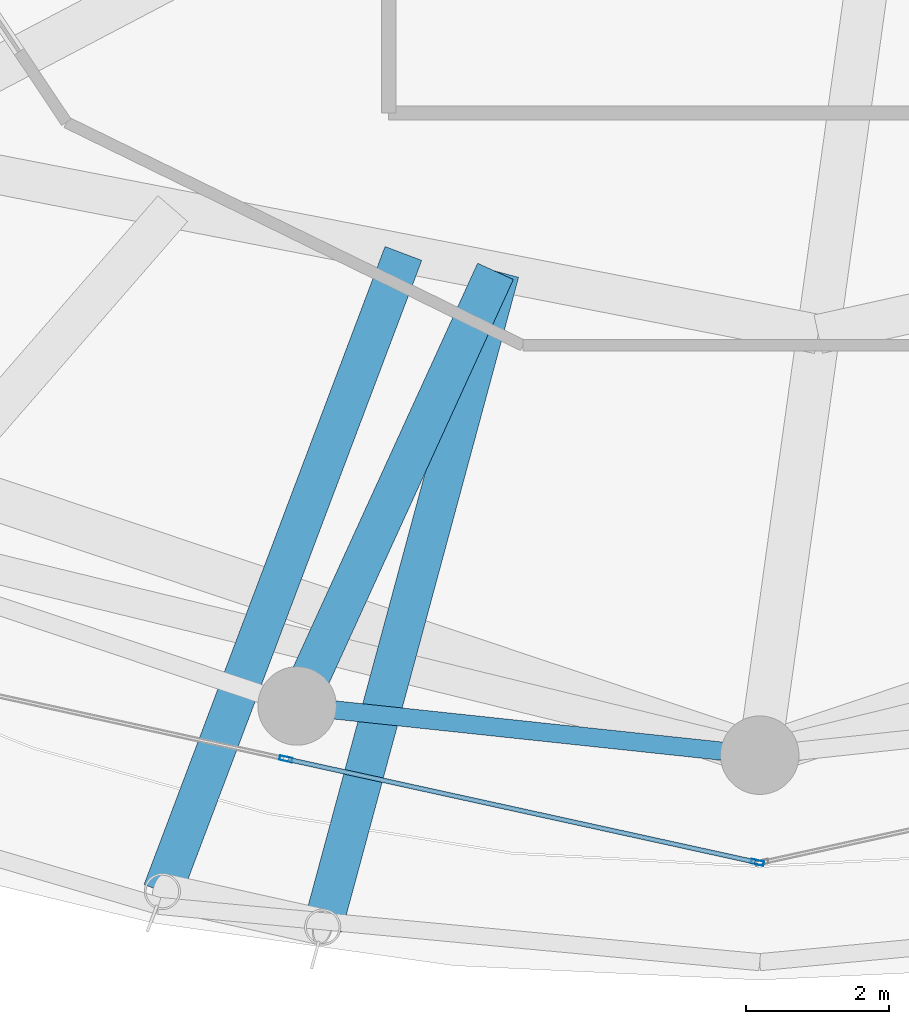
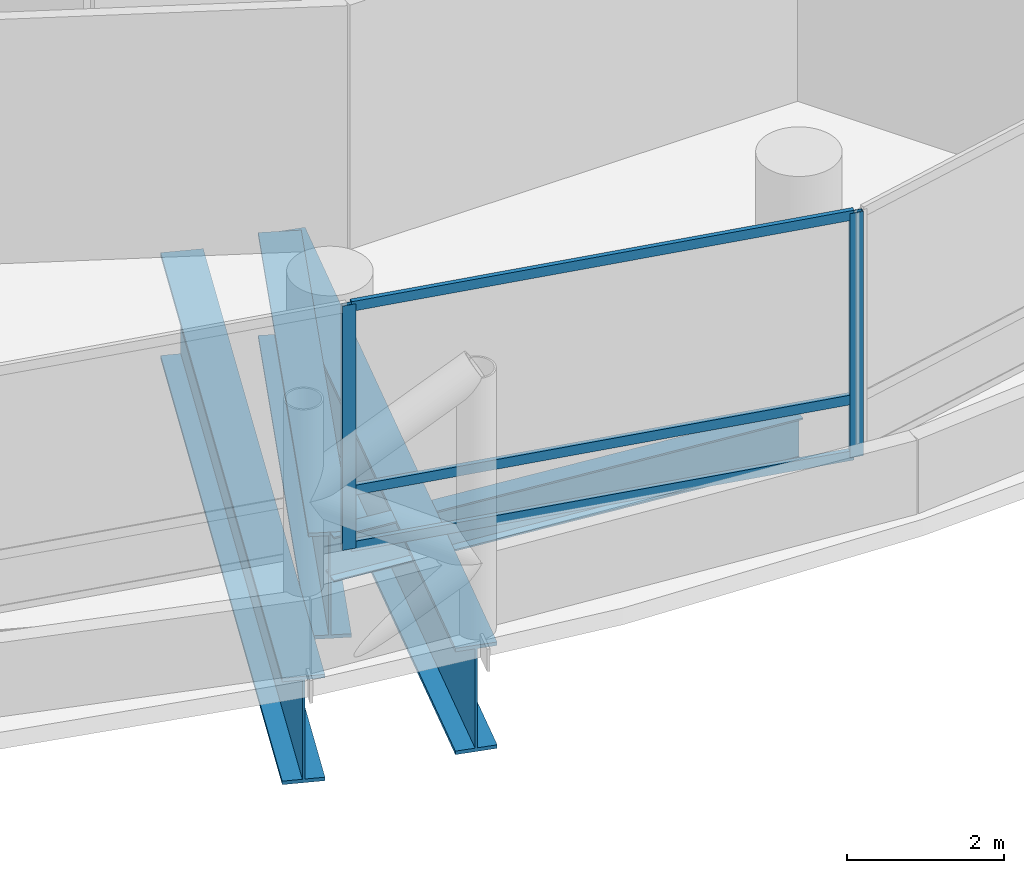
# One storey, part 6 of 37: 5 members, 4 beams, 1 element without a shape of its own.
"""IFC4 building model written with IfcOpenShell, lengths in metres."""

from ifc_helpers import new_model, si_unit, direction, frame, origin, origin_2d, place, context, subcontext, project, spatial, hollow_rectangle, i_section, extrude, material, layer, layer_set, material_profile, profile_set, type_object, element, aggregate, save


model = new_model("IFC4")

# Units and contexts
model_context = context("Model", 3, precision=1e-05, world=origin(), true_north=direction((0.0, 1.0)))
body_context = subcontext(model_context, "Body", "Model", "MODEL_VIEW")
ifc_project = project(units=[si_unit("LENGTHUNIT", "METRE"), si_unit("AREAUNIT", "SQUARE_METRE"), si_unit("VOLUMEUNIT", "CUBIC_METRE"), si_unit("PLANEANGLEUNIT", "RADIAN"), si_unit("MASSUNIT", "GRAM", prefix="KILO")], contexts=[model_context])

# Site, building, storey
site_placement = place(None, origin())
site = spatial("IfcSite", under=ifc_project, at=site_placement, CompositionType="ELEMENT")
building_placement = place(site_placement, origin())
building = spatial("IfcBuilding", under=site, at=building_placement, Name="Nuhasar Tower", CompositionType="ELEMENT")
storey_placement = place(building_placement, frame((0.0, 0.0, 21.0)))
storey = spatial("IfcBuildingStorey", under=building, at=storey_placement, Name="L04", CompositionType="ELEMENT", Elevation=21.0)

# Beams
ifc_material_1 = material(Name="Steel S355", Category="steel")
ifc_material_profile_1 = material_profile(ifc_material_1, i_section(OverallWidth=0.256103515625, OverallDepth=0.693115234375, WebThickness=0.014404296875, FlangeThickness=0.023681640625, at=origin_2d()), Name="W27X114")
ifc_profile_set_1 = profile_set([ifc_material_profile_1], Name="Steel S355")
beam_type_1 = type_object("IfcBeamType", Name="BM-RING-W27X114", PredefinedType="SPANDREL", material=ifc_profile_set_1)
beam_1_placement = place(storey_placement, frame((32.51708984375, 7.239990234375, -0.60693359375), z_axis=(0.994384554061, -0.105827022286, 0.0), x_axis=(0.105827022286, 0.994384554061, 0.0)))
element("IfcBeam", 1, at=beam_1_placement, inside=storey, type_object=beam_type_1, Name="L04 Perimeter Ring Spandrel 18", PredefinedType="SPANDREL", context=body_context, shape_type="SweptSolid", body=[
    extrude(i_section(OverallWidth=0.256103515625, OverallDepth=0.693115234375, WebThickness=0.014404296875, FlangeThickness=0.023681640625, at=origin_2d()), origin(), (0.0, 0.0, 1.0), 6.51953125),
])
ifc_material_2 = material(Name="Steel S460", Category="steel")
ifc_material_profile_2 = material_profile(ifc_material_2, i_section(OverallWidth=0.550048828125, OverallDepth=1.64990234375, WebThickness=0.031982421875, FlangeThickness=0.054931640625, at=origin_2d()), Name="PG1650X550")
ifc_profile_set_2 = profile_set([ifc_material_profile_2], Name="Steel S460")
beam_type_2 = type_object("IfcBeamType", Name="BM-XFER-PG1650", PredefinedType="USERDEFINED", material=ifc_profile_set_2)
beam_2_placement = place(storey_placement, frame((35.297119140625, 13.330078125, -1.0849609375), z_axis=(-0.415264138898, -0.909700882129, 0.0), x_axis=(0.909700882129, -0.415264138898, 0.0)))
element("IfcBeam", 2, at=beam_2_placement, inside=storey, type_object=beam_type_2, Name="L04 Inner Column Transfer Girder 18", ObjectType="GIRDER", PredefinedType="USERDEFINED", context=body_context, shape_type="SweptSolid", body=[
    extrude(i_section(OverallWidth=0.550048828125, OverallDepth=1.64990234375, WebThickness=0.031982421875, FlangeThickness=0.054931640625, at=origin_2d()), origin(), (0.0, 0.0, 1.0), 6.694580078125),
])
beam_3_placement = place(storey_placement, frame((34.007080078125, 13.5810546875, -1.0849609375), z_axis=(-0.353347912969, -0.935491984145, 0.0), x_axis=(0.935491984145, -0.353347912969, 0.0)))
element("IfcBeam", 3, at=beam_3_placement, inside=storey, type_object=beam_type_2, Name="L04 Exoskeleton Base Transfer Girder 17", ObjectType="GIRDER", PredefinedType="USERDEFINED", context=body_context, shape_type="SweptSolid", body=[
    extrude(i_section(OverallWidth=0.550048828125, OverallDepth=1.64990234375, WebThickness=0.031982421875, FlangeThickness=0.054931640625, at=origin_2d()), origin(), (0.0, 0.0, 1.0), 9.5576171875),
])
beam_4_placement = place(storey_placement, frame((35.35595703125, 13.318115234375, -1.0849609375), z_axis=(-0.260880562983, -0.965371085054, 0.0), x_axis=(0.965371085054, -0.260880562983, 0.0)))
element("IfcBeam", 4, at=beam_4_placement, inside=storey, type_object=beam_type_2, Name="L04 Exoskeleton Base Transfer Girder 18", ObjectType="GIRDER", PredefinedType="USERDEFINED", context=body_context, shape_type="SweptSolid", body=[
    extrude(i_section(OverallWidth=0.550048828125, OverallDepth=1.64990234375, WebThickness=0.031982421875, FlangeThickness=0.054931640625, at=origin_2d()), origin(), (0.0, 0.0, 1.0), 9.506103515625),
])

# Curtain wall, members
ifc_material_3 = material(Name="Aluminium 6063-T6", Category="aluminium")
ifc_layer = layer(ifc_material_3, 0.199951171875)
ifc_layer_set = layer_set([ifc_layer], Name="Aluminium 6063-T6")
curtain_wall_type = type_object("IfcCurtainWallType", Name="CW-Z1-OFF", PredefinedType="NOTDEFINED", material=ifc_layer_set)
curtain_wall_placement = place(storey_placement, origin())
curtain_wall = element("IfcCurtainWall", 5, at=curtain_wall_placement, inside=storey, type_object=curtain_wall_type, Name="L04 Unitised Curtain Wall 09", PredefinedType="NOTDEFINED")
ifc_material_profile_3 = material_profile(ifc_material_3, hollow_rectangle(XDim=0.06494140625, YDim=0.179931640625, WallThickness=0.0048828125, at=origin_2d()), Name="CWM-2")
ifc_profile_set_3 = profile_set([ifc_material_profile_3], Name="Aluminium 6063-T6")
member_type_1 = type_object("IfcMemberType", Name="CW-MUL-S2", PredefinedType="MULLION", material=ifc_profile_set_3)
member_1_placement = place(storey_placement, frame((32.360107421875, 6.49755859375, 0.0), z_axis=(0.0, 0.0, 1.0), x_axis=(0.214398737637, 0.976746221544, 0.0)))
member_1 = element("IfcMember", 6, at=member_1_placement, type_object=member_type_1, Name="CW-Z1 mullion 2", PredefinedType="MULLION", context=body_context, shape_type="SweptSolid", body=[
    extrude(hollow_rectangle(XDim=0.06494140625, YDim=0.179931640625, WallThickness=0.0048828125, at=origin_2d()), origin(), (0.0, 0.0, 1.0), 3.7900390625),
])
member_2_placement = place(storey_placement, frame((38.96826171875, 5.046875, 0.0), z_axis=(0.0, 0.0, 1.0), x_axis=(0.214398737637, 0.976746221544, 0.0)))
member_2 = element("IfcMember", 7, at=member_2_placement, type_object=member_type_1, Name="CW-Z1 mullion 3", PredefinedType="MULLION", context=body_context, shape_type="SweptSolid", body=[
    extrude(hollow_rectangle(XDim=0.06494140625, YDim=0.179931640625, WallThickness=0.0048828125, at=origin_2d()), origin(), (0.0, 0.0, 1.0), 3.7900390625),
])
ifc_material_profile_4 = material_profile(ifc_material_3, hollow_rectangle(XDim=0.06494140625, YDim=0.14990234375, WallThickness=0.00439453125, at=origin_2d()), Name="CWT-2")
ifc_profile_set_4 = profile_set([ifc_material_profile_4], Name="Aluminium 6063-T6")
member_type_2 = type_object("IfcMemberType", Name="CW-TRN-S2", PredefinedType="USERDEFINED", material=ifc_profile_set_4)
member_3_placement = place(storey_placement, frame((32.391845703125, 6.490478515625, 0.032470703125), z_axis=(0.976747879138, -0.214391185916, 0.0), x_axis=(0.214391185916, 0.976747879138, 0.0)))
member_3 = element("IfcMember", 8, at=member_3_placement, type_object=member_type_2, Name="CW-Z1 transom 2.1", ObjectType="TRANSOM", PredefinedType="USERDEFINED", context=body_context, shape_type="SweptSolid", body=[
    extrude(hollow_rectangle(XDim=0.06494140625, YDim=0.14990234375, WallThickness=0.00439453125, at=origin_2d()), origin(), (0.0, 0.0, 1.0), 6.700439453125),
])
member_4_placement = place(storey_placement, frame((32.391845703125, 6.490478515625, 0.89990234375), z_axis=(0.976747879138, -0.214391185916, 0.0), x_axis=(0.214391185916, 0.976747879138, 0.0)))
member_4 = element("IfcMember", 9, at=member_4_placement, type_object=member_type_2, Name="CW-Z1 transom 2.2", ObjectType="TRANSOM", PredefinedType="USERDEFINED", context=body_context, shape_type="SweptSolid", body=[
    extrude(hollow_rectangle(XDim=0.06494140625, YDim=0.14990234375, WallThickness=0.00439453125, at=origin_2d()), origin(), (0.0, 0.0, 1.0), 6.700439453125),
])
member_5_placement = place(storey_placement, frame((32.391845703125, 6.490478515625, 3.757568359375), z_axis=(0.976747879138, -0.214391185916, 0.0), x_axis=(0.214391185916, 0.976747879138, 0.0)))
member_5 = element("IfcMember", 10, at=member_5_placement, type_object=member_type_2, Name="CW-Z1 transom 2.3", ObjectType="TRANSOM", PredefinedType="USERDEFINED", context=body_context, shape_type="SweptSolid", body=[
    extrude(hollow_rectangle(XDim=0.06494140625, YDim=0.14990234375, WallThickness=0.00439453125, at=origin_2d()), origin(), (0.0, 0.0, 1.0), 6.700439453125),
])
aggregate(curtain_wall, [member_1, member_2, member_3, member_4, member_5])

save(model, "model.ifc")
